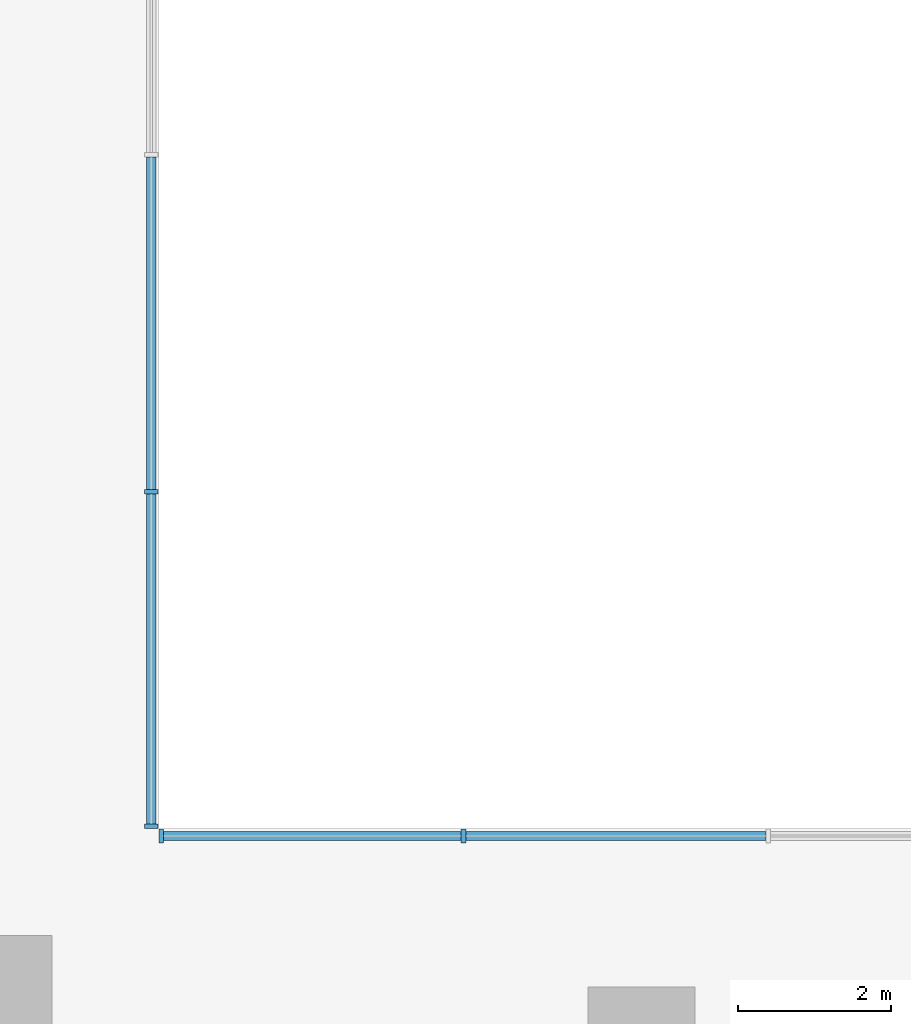
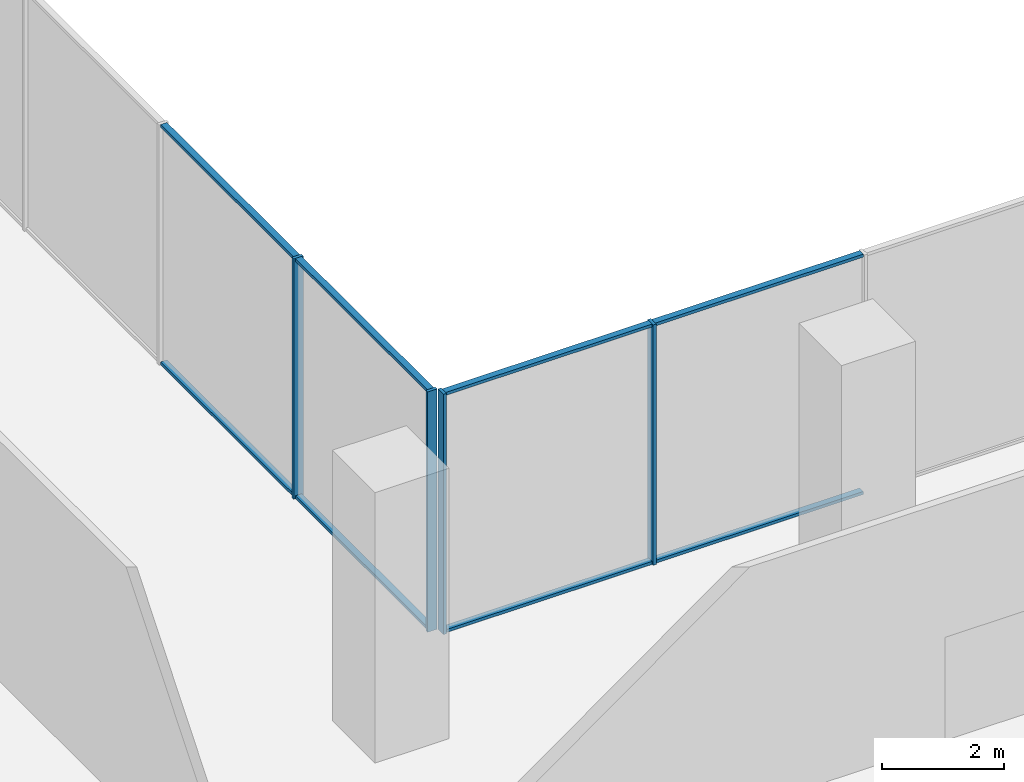
# One storey, part 7 of 24: 12 members, 2 elements without a shape of their own.
"""IFC4 building model written with IfcOpenShell, lengths in metres."""

from ifc_helpers import new_model, si_unit, direction, frame, origin, origin_2d, place, context, subcontext, project, spatial, rectangle, extrude, source, transform, mapped, material, layer, layer_set, material_profile, profile_set, type_object, element, aggregate, save


model = new_model("IFC4")

# Units and contexts
model_context = context("Model", 3, precision=1e-05, world=origin(), true_north=direction((0.0, 1.0)))
body_context = subcontext(model_context, "Body", "Model", "MODEL_VIEW")
ifc_project = project(units=[si_unit("LENGTHUNIT", "METRE"), si_unit("AREAUNIT", "SQUARE_METRE"), si_unit("VOLUMEUNIT", "CUBIC_METRE"), si_unit("PLANEANGLEUNIT", "RADIAN"), si_unit("MASSUNIT", "GRAM", prefix="KILO")], contexts=[model_context])

# Site, building, storey
site_placement = place(None, origin())
site = spatial("IfcSite", under=ifc_project, at=site_placement, CompositionType="ELEMENT")
building_placement = place(site_placement, origin())
building = spatial("IfcBuilding", under=site, at=building_placement, Name="Aurelian Terraces", CompositionType="ELEMENT")
storey_placement = place(building_placement, frame((0.0, 0.0, 12.9)))
storey = spatial("IfcBuildingStorey", under=building, at=storey_placement, Name="L02", CompositionType="ELEMENT", Elevation=12.9)

# Curtain wall, members
ifc_material_1 = material(Name="Anodised aluminium and clear glazing", Category="aluminium")
ifc_layer = layer(ifc_material_1, 0.2)
ifc_layer_set = layer_set([ifc_layer], Name="Winter garden glazing curtain wall")
curtain_wall_type = type_object("IfcCurtainWallType", Name="Winter garden glazing curtain wall", PredefinedType="NOTDEFINED", material=ifc_layer_set)
curtain_wall_1_placement = place(storey_placement, origin())
curtain_wall_1 = element("IfcCurtainWall", 1, at=curtain_wall_1_placement, inside=storey, type_object=curtain_wall_type, Name="Winter garden glazing L02 F04.1", PredefinedType="NOTDEFINED")
ifc_material_2 = material(Name="Anodised aluminium", Category="aluminium")
ifc_material_profile_1 = material_profile(ifc_material_2, rectangle(XDim=0.12, YDim=0.06, at=origin_2d()))
ifc_profile_set_1 = profile_set([ifc_material_profile_1], Name="Anodised aluminium")
member_type_1 = type_object("IfcMemberType", Name="Winter garden glazing transom", PredefinedType="USERDEFINED", material=ifc_profile_set_1)
member_1_placement = place(storey_placement, frame((54.08, 54.24, 0.03), z_axis=(0.0, 1.0, 0.0), x_axis=(-1.0, 0.0, 0.0)))
member_1 = element("IfcMember", 2, at=member_1_placement, type_object=member_type_1, Name="CW6 transom 1.1", ObjectType="TRANSOM", PredefinedType="USERDEFINED", context=body_context, shape_type="SweptSolid", body=[
    extrude(rectangle(XDim=0.12, YDim=0.06, at=origin_2d()), origin(), (0.0, 0.0, 1.0), 4.32),
])
member_2_placement = place(storey_placement, frame((54.08, 58.62, 0.03), z_axis=(0.0, 1.0, 0.0), x_axis=(-1.0, 0.0, 0.0)))
member_2 = element("IfcMember", 3, at=member_2_placement, type_object=member_type_1, Name="CW6 transom 2.1", ObjectType="TRANSOM", PredefinedType="USERDEFINED", context=body_context, shape_type="SweptSolid", body=[
    extrude(rectangle(XDim=0.12, YDim=0.06, at=origin_2d()), origin(), (0.0, 0.0, 1.0), 4.35),
])

curtain_wall_2_placement = place(storey_placement, origin())
curtain_wall_2 = element("IfcCurtainWall", 4, at=curtain_wall_2_placement, inside=storey, type_object=curtain_wall_type, Name="Winter garden glazing L02 F03.1", PredefinedType="NOTDEFINED")
ifc_material_profile_2 = material_profile(ifc_material_2, rectangle(XDim=0.18, YDim=0.06, at=origin_2d()))
ifc_profile_set_2 = profile_set([ifc_material_profile_2], Name="Anodised aluminium")
member_type_2 = type_object("IfcMemberType", Name="Winter garden glazing mullion", PredefinedType="MULLION", material=ifc_profile_set_2)
shared_shape_1 = source(origin(), body_context, "Body", "SweptSolid", [
    extrude(rectangle(XDim=0.18, YDim=0.06, at=origin_2d()), origin(), (0.0, 0.0, 1.0), 4.8),
])
member_3_placement = place(storey_placement, frame((58.17, 54.08, 0.0), z_axis=(0.0, 0.0, 1.0), x_axis=(0.0, -1.0, 0.0)))
member_3 = element("IfcMember", 5, at=member_3_placement, type_object=member_type_2, Name="CW6 mullion 8", PredefinedType="MULLION", context=body_context, shape_type="MappedRepresentation", body=[
    mapped(shared_shape_1, transform((0.0, 0.0, 0.0), scale=1.0)),
])
member_4_placement = place(storey_placement, frame((54.21, 54.08, 0.0), z_axis=(0.0, 0.0, 1.0), x_axis=(0.0, -1.0, 0.0)))
member_4 = element("IfcMember", 6, at=member_4_placement, type_object=member_type_2, Name="CW6 mullion 9", PredefinedType="MULLION", context=body_context, shape_type="MappedRepresentation", body=[
    mapped(shared_shape_1, transform((0.0, 0.0, 0.0), scale=1.0)),
])

# Member
member_5_placement = place(storey_placement, frame((54.08, 54.21, 0.0), z_axis=(0.0, 0.0, 1.0), x_axis=(-1.0, 0.0, 0.0)))
member_5 = element("IfcMember", 7, at=member_5_placement, type_object=member_type_2, Name="CW6 mullion 1", PredefinedType="MULLION", context=body_context, shape_type="MappedRepresentation", body=[
    mapped(shared_shape_1, transform((0.0, 0.0, 0.0), scale=1.0)),
])

member_6_placement = place(storey_placement, frame((54.08, 58.59, 0.0), z_axis=(0.0, 0.0, 1.0), x_axis=(-1.0, 0.0, 0.0)))
member_6 = element("IfcMember", 8, at=member_6_placement, type_object=member_type_2, Name="CW6 mullion 2", PredefinedType="MULLION", context=body_context, shape_type="MappedRepresentation", body=[
    mapped(shared_shape_1, transform((0.0, 0.0, 0.0), scale=1.0)),
])

shared_shape_2 = source(origin(), body_context, "Body", "SweptSolid", [
    extrude(rectangle(XDim=0.12, YDim=0.06, at=origin_2d()), origin(), (0.0, 0.0, 1.0), 3.9),
])
member_7_placement = place(storey_placement, frame((58.14, 54.08, 0.03), z_axis=(-1.0, 0.0, 0.0), x_axis=(0.0, -1.0, 0.0)))
member_7 = element("IfcMember", 9, at=member_7_placement, type_object=member_type_1, Name="CW6 transom 8.1", ObjectType="TRANSOM", PredefinedType="USERDEFINED", context=body_context, shape_type="MappedRepresentation", body=[
    mapped(shared_shape_2, transform((0.0, 0.0, 0.0), scale=1.0)),
])

member_8_placement = place(storey_placement, frame((58.14, 54.08, 4.77), z_axis=(-1.0, 0.0, 0.0), x_axis=(0.0, -1.0, 0.0)))
member_8 = element("IfcMember", 10, at=member_8_placement, type_object=member_type_1, Name="CW6 transom 8.2", ObjectType="TRANSOM", PredefinedType="USERDEFINED", context=body_context, shape_type="MappedRepresentation", body=[
    mapped(shared_shape_2, transform((0.0, 0.0, 0.0), scale=1.0)),
])

shared_shape_3 = source(origin(), body_context, "Body", "SweptSolid", [
    extrude(rectangle(XDim=0.12, YDim=0.06, at=origin_2d()), origin(), (0.0, 0.0, 1.0), 3.93),
])
member_9_placement = place(storey_placement, frame((62.13, 54.08, 0.03), z_axis=(-1.0, 0.0, 0.0), x_axis=(0.0, -1.0, 0.0)))
member_9 = element("IfcMember", 11, at=member_9_placement, type_object=member_type_1, Name="CW6 transom 7.1", ObjectType="TRANSOM", PredefinedType="USERDEFINED", context=body_context, shape_type="MappedRepresentation", body=[
    mapped(shared_shape_3, transform((0.0, 0.0, 0.0), scale=1.0)),
])

member_10_placement = place(storey_placement, frame((62.13, 54.08, 4.77), z_axis=(-1.0, 0.0, 0.0), x_axis=(0.0, -1.0, 0.0)))
member_10 = element("IfcMember", 12, at=member_10_placement, type_object=member_type_1, Name="CW6 transom 7.2", ObjectType="TRANSOM", PredefinedType="USERDEFINED", context=body_context, shape_type="MappedRepresentation", body=[
    mapped(shared_shape_3, transform((0.0, 0.0, 0.0), scale=1.0)),
])

aggregate(curtain_wall_2, [member_3, member_4, member_9, member_10, member_7, member_8])

shared_shape_4 = source(origin(), body_context, "Body", "SweptSolid", [
    extrude(rectangle(XDim=0.12, YDim=0.06, at=origin_2d()), origin(), (0.0, 0.0, 1.0), 4.32),
])
member_11_placement = place(storey_placement, frame((54.08, 54.24, 4.77), z_axis=(0.0, 1.0, 0.0), x_axis=(-1.0, 0.0, 0.0)))
member_11 = element("IfcMember", 13, at=member_11_placement, type_object=member_type_1, Name="CW6 transom 1.2", ObjectType="TRANSOM", PredefinedType="USERDEFINED", context=body_context, shape_type="MappedRepresentation", body=[
    mapped(shared_shape_4, transform((0.0, 0.0, 0.0), scale=1.0)),
])

shared_shape_5 = source(origin(), body_context, "Body", "SweptSolid", [
    extrude(rectangle(XDim=0.12, YDim=0.06, at=origin_2d()), origin(), (0.0, 0.0, 1.0), 4.35),
])
member_12_placement = place(storey_placement, frame((54.08, 58.62, 4.77), z_axis=(0.0, 1.0, 0.0), x_axis=(-1.0, 0.0, 0.0)))
member_12 = element("IfcMember", 14, at=member_12_placement, type_object=member_type_1, Name="CW6 transom 2.2", ObjectType="TRANSOM", PredefinedType="USERDEFINED", context=body_context, shape_type="MappedRepresentation", body=[
    mapped(shared_shape_5, transform((0.0, 0.0, 0.0), scale=1.0)),
])

aggregate(curtain_wall_1, [member_5, member_6, member_1, member_11, member_2, member_12])

save(model, "model.ifc")
